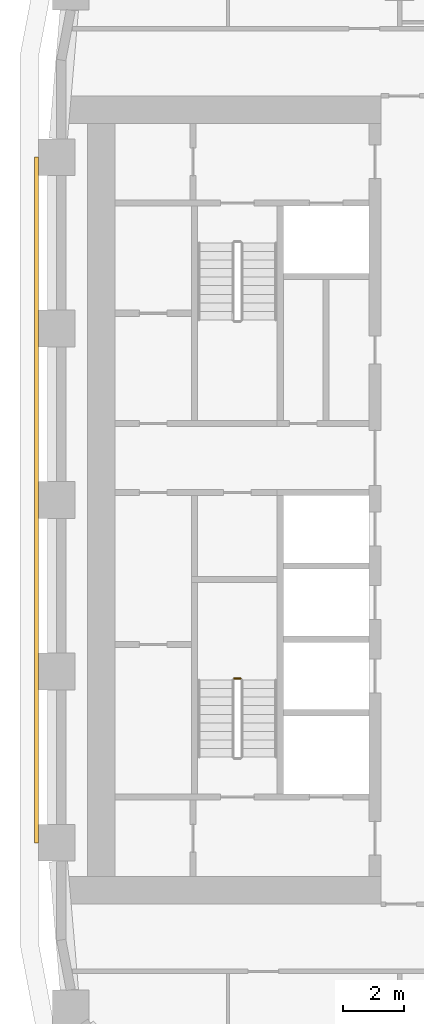
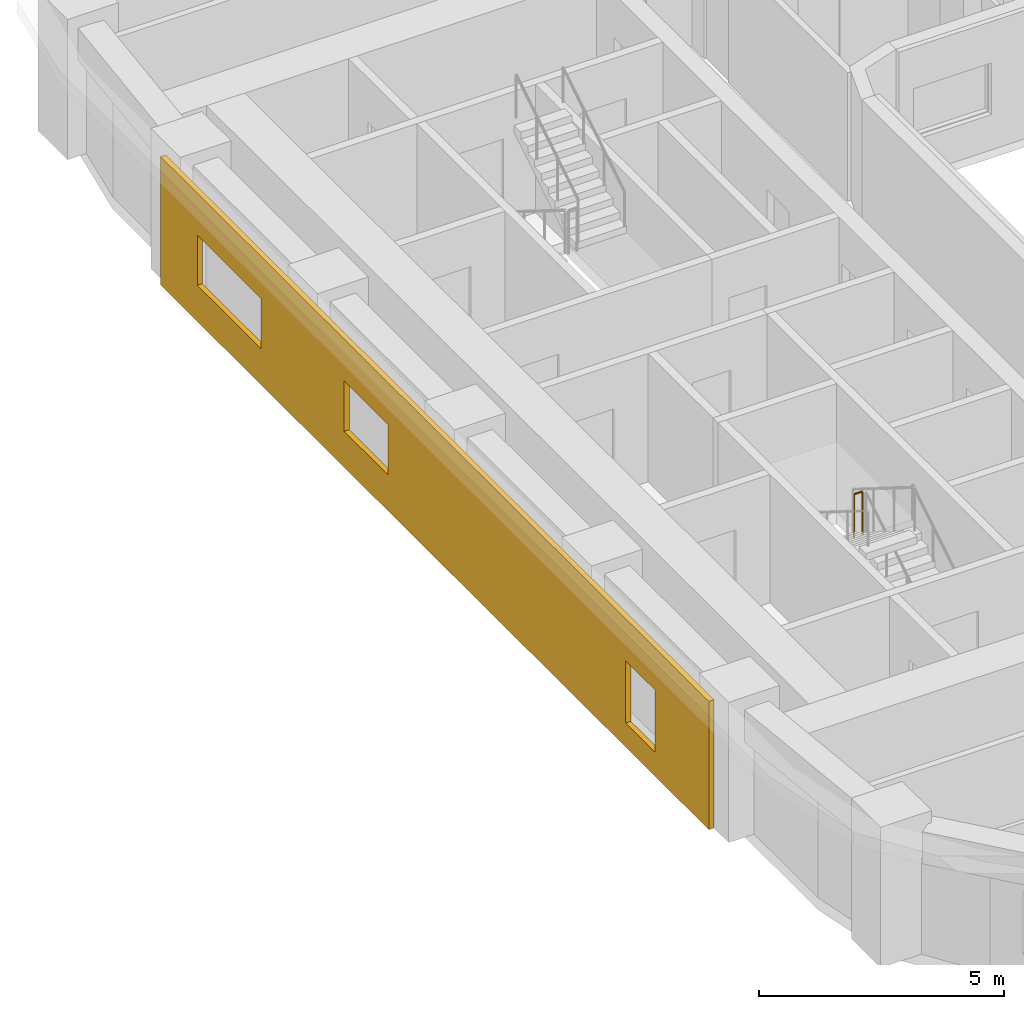
# One storey, part 15 of 23: 1 covering, 1 railing.
"""IFC4 building model written with IfcOpenShell, lengths in metres."""

from ifc_helpers import new_model, si_unit, direction, frame, origin, origin_2d, place, context, subcontext, project, spatial, polyline, circle, outline, extrude, material, layer, layer_set, type_object, element, save


model = new_model("IFC4")

# Units and contexts
model_context = context("Model", 3, precision=1e-05, world=origin(), true_north=direction((0.0, 1.0)))
body_context = subcontext(model_context, "Body", "Model", "MODEL_VIEW")
ifc_project = project(units=[si_unit("LENGTHUNIT", "METRE"), si_unit("AREAUNIT", "SQUARE_METRE"), si_unit("VOLUMEUNIT", "CUBIC_METRE"), si_unit("PLANEANGLEUNIT", "RADIAN"), si_unit("MASSUNIT", "GRAM", prefix="KILO")], contexts=[model_context])

# Site, building, storey
site_placement = place(None, origin())
site = spatial("IfcSite", under=ifc_project, at=site_placement, CompositionType="ELEMENT")
building_placement = place(site_placement, origin())
building = spatial("IfcBuilding", under=site, at=building_placement, Name="Kiln Ring Residences", CompositionType="ELEMENT")
storey_placement = place(building_placement, frame((0.0, 0.0, 118.300048828125)))
storey = spatial("IfcBuildingStorey", under=building, at=storey_placement, Name="L30", CompositionType="ELEMENT", Elevation=118.300048828125)

# Railing
ifc_material_1 = material(Name="Stainless steel", Category="steel")
railing_type = type_object("IfcRailingType", Name="CORE-STAIR-GUARD", PredefinedType="GUARDRAIL", material=ifc_material_1)
railing_placement = place(storey_placement, frame((-22.0, -5.830078125, 1.75)))
element("IfcRailing", 1, at=railing_placement, inside=storey, type_object=railing_type, Name="L30 W-STS stair guard 2", PredefinedType="GUARDRAIL", context=body_context, shape_type="SweptSolid", body=[
    extrude(circle(Radius=0.02392578125, at=origin_2d()), frame((0.0, 0.0, 1.076171875), z_axis=(-1.0, 0.0, 0.0), x_axis=(0.0, -1.0, 0.0)), (0.0, 0.0, 1.0), 0.199951171875),
    extrude(circle(Radius=0.02099609375, at=origin_2d()), origin(), (0.0, 0.0, 1.0), 1.052001953125),
    extrude(circle(Radius=0.02099609375, at=origin_2d()), frame((-0.199951171875, 0.0, 0.0)), (0.0, 0.0, 1.0), 1.052001953125),
])

# Covering
ifc_material_2 = material(Name="Brick masonry, dark clay brick", Category="masonry")
ifc_layer = layer(ifc_material_2, 0.1201171875)
ifc_layer_set = layer_set([ifc_layer], Name="RAINSCREEN PANEL 120")
covering_type = type_object("IfcCoveringType", Name="RAINSCREEN PANEL 120", PredefinedType="CLADDING", material=ifc_layer_set)
covering_placement = place(storey_placement, frame((-28.659912109375, 11.199951171875, 0.0), z_axis=(0.0, 0.0, 1.0), x_axis=(0.0, -1.0, 0.0)))
element("IfcCovering", 2, at=covering_placement, inside=storey, type_object=covering_type, Name="RAINSCREEN L30", PredefinedType="CLADDING", context=body_context, shape_type="SweptSolid", body=[
    extrude(outline(polyline([(0.0, 0.0), (22.39990234375, 0.0), (22.39990234375, 3.199951171875), (0.0, 3.199951171875), (0.0, 0.0)]), holes=[polyline([(20.199951171875, 2.14990234375), (19.0, 2.14990234375), (19.0, 0.599853515625), (20.199951171875, 0.599853515625), (20.199951171875, 2.14990234375)]), polyline([(4.10009765625, 0.89990234375), (4.10009765625, 2.14990234375), (1.5, 2.14990234375), (1.5, 0.89990234375), (4.10009765625, 0.89990234375)]), polyline([(9.300048828125, 0.89990234375), (9.300048828125, 2.14990234375), (7.5, 2.14990234375), (7.5, 0.89990234375), (9.300048828125, 0.89990234375)])]), frame((0.0, 0.06005859375, 0.0), z_axis=(0.0, -1.0, 0.0), x_axis=(1.0, 0.0, 0.0)), (0.0, 0.0, 1.0), 0.1201171875),
])

save(model, "model.ifc")
